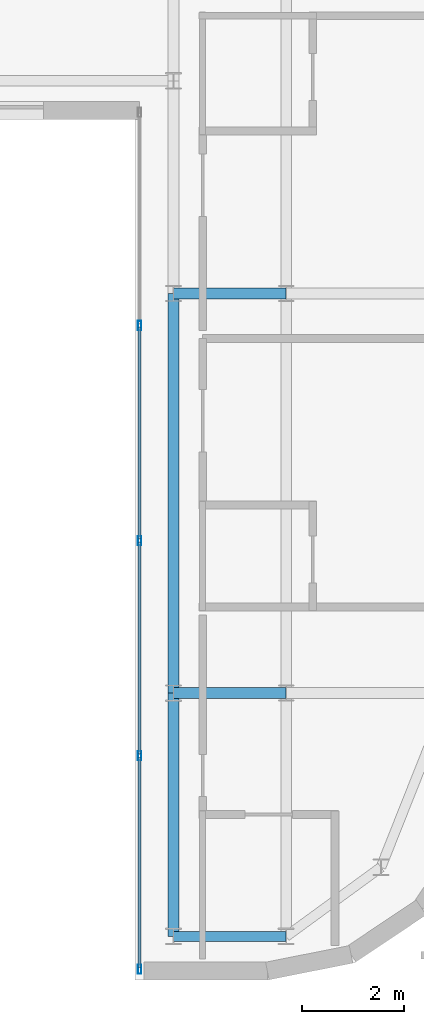
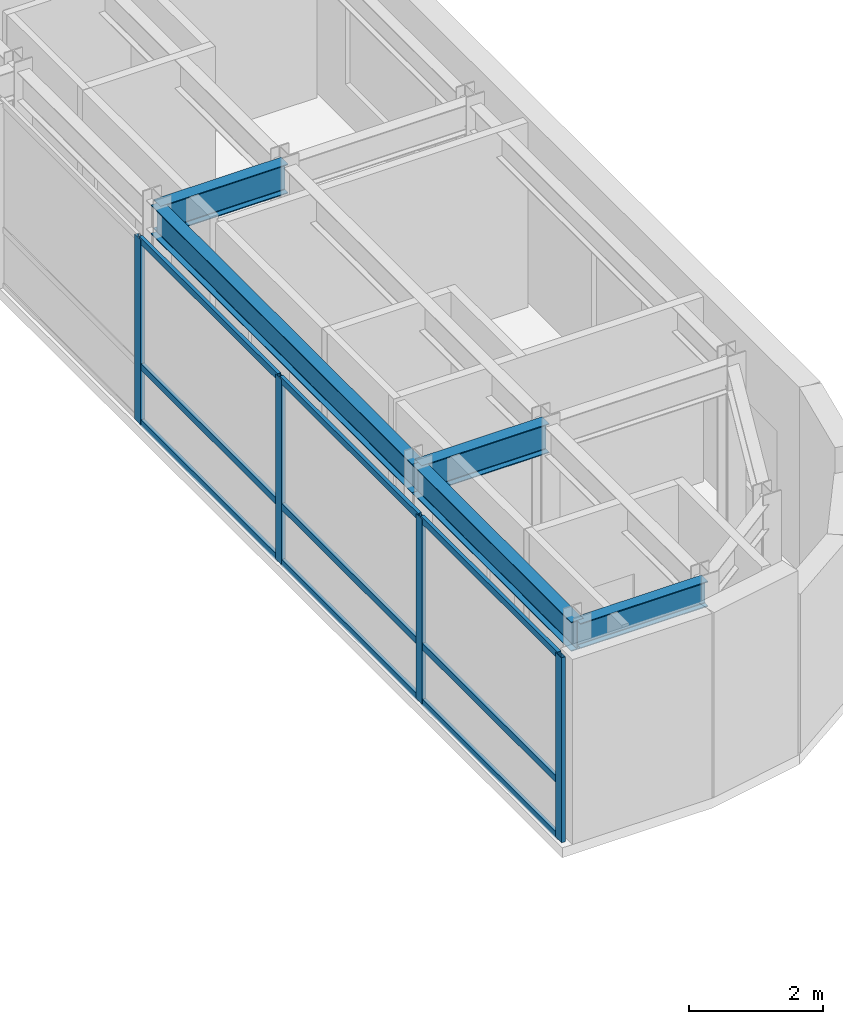
# One storey, part 7 of 18: 13 members, 5 beams, 1 element without a shape of its own.
"""IFC4 building model written with IfcOpenShell, lengths in metres."""

from ifc_helpers import new_model, si_unit, direction, frame, origin, origin_2d, place, context, subcontext, project, spatial, hollow_rectangle, i_section, extrude, source, transform, mapped, material, layer, layer_set, material_profile, profile_set, type_object, type_shapes, element, aggregate, save


model = new_model("IFC4")

# Units and contexts
model_context = context("Model", 3, precision=1e-05, world=origin(), true_north=direction((0.0, 1.0)))
body_context = subcontext(model_context, "Body", "Model", "MODEL_VIEW")
ifc_project = project(units=[si_unit("LENGTHUNIT", "METRE"), si_unit("AREAUNIT", "SQUARE_METRE"), si_unit("VOLUMEUNIT", "CUBIC_METRE"), si_unit("PLANEANGLEUNIT", "RADIAN"), si_unit("MASSUNIT", "GRAM", prefix="KILO")], contexts=[model_context])

# Site, building, storey
site_placement = place(None, origin())
site = spatial("IfcSite", under=ifc_project, at=site_placement, CompositionType="ELEMENT")
building_placement = place(site_placement, origin())
building = spatial("IfcBuilding", under=site, at=building_placement, Name="Tolvann Quenvar Hotel", CompositionType="ELEMENT")
storey_placement = place(building_placement, frame((0.0, 0.0, 252.300048828125)))
storey = spatial("IfcBuildingStorey", under=building, at=storey_placement, Name="L67", CompositionType="ELEMENT", Elevation=252.300048828125)

# Beams
ifc_material_1 = material(Name="Steel Grade 350", Category="steel")
ifc_material_profile_1 = material_profile(ifc_material_1, i_section(OverallWidth=0.208984375, OverallDepth=0.532958984375, WebThickness=0.01025390625, FlangeThickness=0.015625, FilletRadius=0.013916015625, at=origin_2d()), Name="530UB92")
ifc_profile_set_1 = profile_set([ifc_material_profile_1], Name="Steel Grade 350")
beam_type_1 = type_object("IfcBeamType", Name="BM_GIRD_530UB92", PredefinedType="BEAM", material=ifc_profile_set_1)
shared_shape_1 = source(origin(), body_context, "Body", "SweptSolid", [
    extrude(i_section(OverallWidth=0.208984375, OverallDepth=0.532958984375, WebThickness=0.01025390625, FlangeThickness=0.015625, FilletRadius=0.013916015625, at=origin_2d()), origin(), (0.0, 0.0, 1.0), 7.800048828125),
])
beam_1_placement = place(storey_placement, frame((32.75, 8.199951171875, 3.103515625), z_axis=(0.0, 1.0, 0.0), x_axis=(-1.0, 0.0, 0.0)))
element("IfcBeam", 1, at=beam_1_placement, inside=storey, type_object=beam_type_1, Name="BM-L67-NS-FP3-FP4", PredefinedType="BEAM", context=body_context, shape_type="MappedRepresentation", body=[
    mapped(shared_shape_1, transform((0.0, 0.0, 0.0), x_axis=(1.0, 0.0, 0.0), y_axis=(0.0, 1.0, 0.0), z_axis=(0.0, 0.0, 1.0), scale=1.0)),
])
shared_shape_2 = source(origin(), body_context, "Body", "SweptSolid", [
    extrude(i_section(OverallWidth=0.208984375, OverallDepth=0.532958984375, WebThickness=0.01025390625, FlangeThickness=0.015625, FilletRadius=0.013916015625, at=origin_2d()), origin(), (0.0, 0.0, 1.0), 4.75),
])
beam_2_placement = place(storey_placement, frame((32.75, 3.449951171875, 3.103515625), z_axis=(0.0, 1.0, 0.0), x_axis=(-1.0, 0.0, 0.0)))
element("IfcBeam", 2, at=beam_2_placement, inside=storey, type_object=beam_type_1, Name="BM-L67-NS-FP2-FP3", PredefinedType="BEAM", context=body_context, shape_type="MappedRepresentation", body=[
    mapped(shared_shape_2, transform((0.0, 0.0, 0.0), x_axis=(1.0, 0.0, 0.0), y_axis=(0.0, 1.0, 0.0), z_axis=(0.0, 0.0, 1.0), scale=1.0)),
])
ifc_material_profile_2 = material_profile(ifc_material_1, i_section(OverallWidth=0.19091796875, OverallDepth=0.4599609375, WebThickness=0.010009765625, FlangeThickness=0.01611328125, FilletRadius=0.011474609375, at=origin_2d()), Name="460UB82")
ifc_profile_set_2 = profile_set([ifc_material_profile_2], Name="Steel Grade 350")
beam_type_2 = type_object("IfcBeamType", Name="BM_SPAND_460UB82", PredefinedType="SPANDREL", material=ifc_profile_set_2)
shared_shape_3 = source(origin(), body_context, "Body", "SweptSolid", [
    extrude(i_section(OverallWidth=0.19091796875, OverallDepth=0.4599609375, WebThickness=0.010009765625, FlangeThickness=0.01611328125, FilletRadius=0.011474609375, at=origin_2d()), origin(), (0.0, 0.0, 1.0), 2.199951171875),
])
type_shapes(beam_type_2, [shared_shape_3])
beam_3_placement = place(storey_placement, frame((32.75, 3.449951171875, 3.139892578125), z_axis=(1.0, 0.0, 0.0), x_axis=(0.0, 1.0, 0.0)))
element("IfcBeam", 3, at=beam_3_placement, inside=storey, type_object=beam_type_2, Name="BM-L67-EW-2-FP2-F2", PredefinedType="SPANDREL", context=body_context, shape_type="MappedRepresentation", body=[
    mapped(shared_shape_3, transform((0.0, 0.0, 0.0), x_axis=(1.0, 0.0, 0.0), y_axis=(0.0, 1.0, 0.0), z_axis=(0.0, 0.0, 1.0), scale=1.0)),
])
shared_shape_4 = source(origin(), body_context, "Body", "SweptSolid", [
    extrude(i_section(OverallWidth=0.208984375, OverallDepth=0.532958984375, WebThickness=0.01025390625, FlangeThickness=0.015625, FilletRadius=0.013916015625, at=origin_2d()), origin(), (0.0, 0.0, 1.0), 2.199951171875),
])
type_shapes(beam_type_1, [shared_shape_1, shared_shape_2, shared_shape_4])
for number, where, z_axis, x_axis, name in (
    (4, (32.75, 8.199951171875, 3.103515625), (1.0, 0.0, 0.0), (0.0, 1.0, 0.0), "BM-L67-EW-3-FP3-F3"),
    (5, (32.75, 16.0, 3.103515625), (1.0, 0.0, 0.0), (0.0, 1.0, 0.0), "BM-L67-EW-4-FP4-F4"),
):
    element("IfcBeam", number, at=place(storey_placement, frame(where, z_axis=z_axis, x_axis=x_axis)), inside=storey, type_object=beam_type_1, Name=name, PredefinedType="BEAM", context=body_context, shape_type="MappedRepresentation", body=[
        mapped(shared_shape_4, transform((0.0, 0.0, 0.0), x_axis=(1.0, 0.0, 0.0), y_axis=(0.0, 1.0, 0.0), z_axis=(0.0, 0.0, 1.0), scale=1.0)),
    ])

# Curtain wall, members
ifc_material_2 = material(Name="Thermally broken anodised architectural aluminium 6063-T6 and laminated low-E glass", Category="aluminium")
ifc_layer = layer(ifc_material_2, 0.179931640625)
ifc_layer_set = layer_set([ifc_layer], Name="Thermally broken anodised architectural aluminium 6063-T6 and laminated low-E glass")
curtain_wall_type = type_object("IfcCurtainWallType", Name="CW_SYS_PORTAL_05", PredefinedType="USERDEFINED", material=ifc_layer_set)
curtain_wall_placement = place(storey_placement, origin())
curtain_wall = element("IfcCurtainWall", 6, at=curtain_wall_placement, inside=storey, type_object=curtain_wall_type, Name="Curtain Wall CW-PORTAL-05 (CWR-L67-E07)", ObjectType="UNITISED CURTAIN WALL", PredefinedType="USERDEFINED")
ifc_material_3 = material(Name="Anodised architectural aluminium 6063-T6 framing", Category="aluminium")
ifc_material_profile_3 = material_profile(ifc_material_3, hollow_rectangle(XDim=0.070068359375, YDim=0.179931640625, WallThickness=0.00390625, at=origin_2d()), Name="180x70x4RHS")
ifc_profile_set_3 = profile_set([ifc_material_profile_3], Name="Anodised architectural aluminium 6063-T6 framing")
member_type_1 = type_object("IfcMemberType", Name="CW_MULL_180x70", PredefinedType="MULLION", material=ifc_profile_set_3)
shared_shape_5 = source(origin(), body_context, "Body", "SweptSolid", [
    extrude(hollow_rectangle(XDim=0.070068359375, YDim=0.179931640625, WallThickness=0.00390625, at=origin_2d()), origin(), (0.0, 0.0, 1.0), 3.369873046875),
])
type_shapes(member_type_1, [shared_shape_5])
member_1_placement = place(storey_placement, frame((32.090087890625, 15.375, 0.0), z_axis=(0.0, 0.0, 1.0), x_axis=(1.0, 0.0, 0.0)))
member_1 = element("IfcMember", 7, at=member_1_placement, type_object=member_type_1, Name="CW-PORTAL-05 mullion 2", PredefinedType="MULLION", context=body_context, shape_type="MappedRepresentation", body=[
    mapped(shared_shape_5, transform((0.0, 0.0, 0.0), x_axis=(1.0, 0.0, 0.0), y_axis=(0.0, 1.0, 0.0), z_axis=(0.0, 0.0, 1.0), scale=1.0)),
])
member_2_placement = place(storey_placement, frame((32.090087890625, 11.175048828125, 0.0), z_axis=(0.0, 0.0, 1.0), x_axis=(1.0, 0.0, 0.0)))
member_2 = element("IfcMember", 8, at=member_2_placement, type_object=member_type_1, Name="CW-PORTAL-05 mullion 3", PredefinedType="MULLION", context=body_context, shape_type="MappedRepresentation", body=[
    mapped(shared_shape_5, transform((0.0, 0.0, 0.0), x_axis=(1.0, 0.0, 0.0), y_axis=(0.0, 1.0, 0.0), z_axis=(0.0, 0.0, 1.0), scale=1.0)),
])
member_3_placement = place(storey_placement, frame((32.090087890625, 6.97509765625, 0.0), z_axis=(0.0, 0.0, 1.0), x_axis=(1.0, 0.0, 0.0)))
member_3 = element("IfcMember", 9, at=member_3_placement, type_object=member_type_1, Name="CW-PORTAL-05 mullion 4", PredefinedType="MULLION", context=body_context, shape_type="MappedRepresentation", body=[
    mapped(shared_shape_5, transform((0.0, 0.0, 0.0), x_axis=(1.0, 0.0, 0.0), y_axis=(0.0, 1.0, 0.0), z_axis=(0.0, 0.0, 1.0), scale=1.0)),
])
member_4_placement = place(storey_placement, frame((32.090087890625, 2.81005859375, 0.0), z_axis=(0.0, 0.0, 1.0), x_axis=(1.0, 0.0, 0.0)))
member_4 = element("IfcMember", 10, at=member_4_placement, type_object=member_type_1, Name="CW-PORTAL-05 mullion 5", PredefinedType="MULLION", context=body_context, shape_type="MappedRepresentation", body=[
    mapped(shared_shape_5, transform((0.0, 0.0, 0.0), x_axis=(1.0, 0.0, 0.0), y_axis=(0.0, 1.0, 0.0), z_axis=(0.0, 0.0, 1.0), scale=1.0)),
])
ifc_material_profile_4 = material_profile(ifc_material_3, hollow_rectangle(XDim=0.06005859375, YDim=0.1201171875, WallThickness=0.00341796875, at=origin_2d()), Name="120x60x3.5RHS")
ifc_profile_set_4 = profile_set([ifc_material_profile_4], Name="Anodised architectural aluminium 6063-T6 framing")
member_type_2 = type_object("IfcMemberType", Name="CW_TRAN_120x60", PredefinedType="USERDEFINED", material=ifc_profile_set_4)
shared_shape_6 = source(origin(), body_context, "Body", "SweptSolid", [
    extrude(hollow_rectangle(XDim=0.06005859375, YDim=0.1201171875, WallThickness=0.00341796875, at=origin_2d()), origin(), (0.0, 0.0, 1.0), 4.094970703125),
])
member_5_placement = place(storey_placement, frame((32.090087890625, 6.93994140625, 0.030029296875), z_axis=(0.0, -1.0, 0.0), x_axis=(1.0, 0.0, 0.0)))
member_5 = element("IfcMember", 11, at=member_5_placement, type_object=member_type_2, Name="CW-PORTAL-05 transom 4.1", ObjectType="TRANSOM", PredefinedType="USERDEFINED", context=body_context, shape_type="MappedRepresentation", body=[
    mapped(shared_shape_6, transform((0.0, 0.0, 0.0), x_axis=(1.0, 0.0, 0.0), y_axis=(0.0, 1.0, 0.0), z_axis=(0.0, 0.0, 1.0), scale=1.0)),
])
member_6_placement = place(storey_placement, frame((32.090087890625, 6.93994140625, 1.050048828125), z_axis=(0.0, -1.0, 0.0), x_axis=(1.0, 0.0, 0.0)))
member_6 = element("IfcMember", 12, at=member_6_placement, type_object=member_type_2, Name="CW-PORTAL-05 transom 4.2", ObjectType="TRANSOM", PredefinedType="USERDEFINED", context=body_context, shape_type="MappedRepresentation", body=[
    mapped(shared_shape_6, transform((0.0, 0.0, 0.0), x_axis=(1.0, 0.0, 0.0), y_axis=(0.0, 1.0, 0.0), z_axis=(0.0, 0.0, 1.0), scale=1.0)),
])
member_7_placement = place(storey_placement, frame((32.090087890625, 6.93994140625, 3.33984375), z_axis=(0.0, -1.0, 0.0), x_axis=(1.0, 0.0, 0.0)))
member_7 = element("IfcMember", 13, at=member_7_placement, type_object=member_type_2, Name="CW-PORTAL-05 transom 4.3", ObjectType="TRANSOM", PredefinedType="USERDEFINED", context=body_context, shape_type="MappedRepresentation", body=[
    mapped(shared_shape_6, transform((0.0, 0.0, 0.0), x_axis=(1.0, 0.0, 0.0), y_axis=(0.0, 1.0, 0.0), z_axis=(0.0, 0.0, 1.0), scale=1.0)),
])
shared_shape_7 = source(origin(), body_context, "Body", "SweptSolid", [
    extrude(hollow_rectangle(XDim=0.06005859375, YDim=0.1201171875, WallThickness=0.00341796875, at=origin_2d()), origin(), (0.0, 0.0, 1.0), 4.130126953125),
])
member_8_placement = place(storey_placement, frame((32.090087890625, 15.340087890625, 0.030029296875), z_axis=(0.0, -1.0, 0.0), x_axis=(1.0, 0.0, 0.0)))
member_8 = element("IfcMember", 14, at=member_8_placement, type_object=member_type_2, Name="CW-PORTAL-05 transom 2.1", ObjectType="TRANSOM", PredefinedType="USERDEFINED", context=body_context, shape_type="MappedRepresentation", body=[
    mapped(shared_shape_7, transform((0.0, 0.0, 0.0), x_axis=(1.0, 0.0, 0.0), y_axis=(0.0, 1.0, 0.0), z_axis=(0.0, 0.0, 1.0), scale=1.0)),
])
member_9_placement = place(storey_placement, frame((32.090087890625, 15.340087890625, 1.050048828125), z_axis=(0.0, -1.0, 0.0), x_axis=(1.0, 0.0, 0.0)))
member_9 = element("IfcMember", 15, at=member_9_placement, type_object=member_type_2, Name="CW-PORTAL-05 transom 2.2", ObjectType="TRANSOM", PredefinedType="USERDEFINED", context=body_context, shape_type="MappedRepresentation", body=[
    mapped(shared_shape_7, transform((0.0, 0.0, 0.0), x_axis=(1.0, 0.0, 0.0), y_axis=(0.0, 1.0, 0.0), z_axis=(0.0, 0.0, 1.0), scale=1.0)),
])
member_10_placement = place(storey_placement, frame((32.090087890625, 15.340087890625, 3.33984375), z_axis=(0.0, -1.0, 0.0), x_axis=(1.0, 0.0, 0.0)))
member_10 = element("IfcMember", 16, at=member_10_placement, type_object=member_type_2, Name="CW-PORTAL-05 transom 2.3", ObjectType="TRANSOM", PredefinedType="USERDEFINED", context=body_context, shape_type="MappedRepresentation", body=[
    mapped(shared_shape_7, transform((0.0, 0.0, 0.0), x_axis=(1.0, 0.0, 0.0), y_axis=(0.0, 1.0, 0.0), z_axis=(0.0, 0.0, 1.0), scale=1.0)),
])
shared_shape_8 = source(origin(), body_context, "Body", "SweptSolid", [
    extrude(hollow_rectangle(XDim=0.06005859375, YDim=0.1201171875, WallThickness=0.00341796875, at=origin_2d()), origin(), (0.0, 0.0, 1.0), 4.1298828125),
])
type_shapes(member_type_2, [shared_shape_6, shared_shape_7, shared_shape_8])
member_11_placement = place(storey_placement, frame((32.090087890625, 11.139892578125, 0.030029296875), z_axis=(0.0, -1.0, 0.0), x_axis=(1.0, 0.0, 0.0)))
member_11 = element("IfcMember", 17, at=member_11_placement, type_object=member_type_2, Name="CW-PORTAL-05 transom 3.1", ObjectType="TRANSOM", PredefinedType="USERDEFINED", context=body_context, shape_type="MappedRepresentation", body=[
    mapped(shared_shape_8, transform((0.0, 0.0, 0.0), x_axis=(1.0, 0.0, 0.0), y_axis=(0.0, 1.0, 0.0), z_axis=(0.0, 0.0, 1.0), scale=1.0)),
])
member_12_placement = place(storey_placement, frame((32.090087890625, 11.139892578125, 1.050048828125), z_axis=(0.0, -1.0, 0.0), x_axis=(1.0, 0.0, 0.0)))
member_12 = element("IfcMember", 18, at=member_12_placement, type_object=member_type_2, Name="CW-PORTAL-05 transom 3.2", ObjectType="TRANSOM", PredefinedType="USERDEFINED", context=body_context, shape_type="MappedRepresentation", body=[
    mapped(shared_shape_8, transform((0.0, 0.0, 0.0), x_axis=(1.0, 0.0, 0.0), y_axis=(0.0, 1.0, 0.0), z_axis=(0.0, 0.0, 1.0), scale=1.0)),
])
member_13_placement = place(storey_placement, frame((32.090087890625, 11.139892578125, 3.33984375), z_axis=(0.0, -1.0, 0.0), x_axis=(1.0, 0.0, 0.0)))
member_13 = element("IfcMember", 19, at=member_13_placement, type_object=member_type_2, Name="CW-PORTAL-05 transom 3.3", ObjectType="TRANSOM", PredefinedType="USERDEFINED", context=body_context, shape_type="MappedRepresentation", body=[
    mapped(shared_shape_8, transform((0.0, 0.0, 0.0), x_axis=(1.0, 0.0, 0.0), y_axis=(0.0, 1.0, 0.0), z_axis=(0.0, 0.0, 1.0), scale=1.0)),
])
aggregate(curtain_wall, [member_1, member_2, member_3, member_4, member_8, member_9, member_10, member_11, member_12, member_13, member_5, member_6, member_7])

save(model, "model.ifc")
